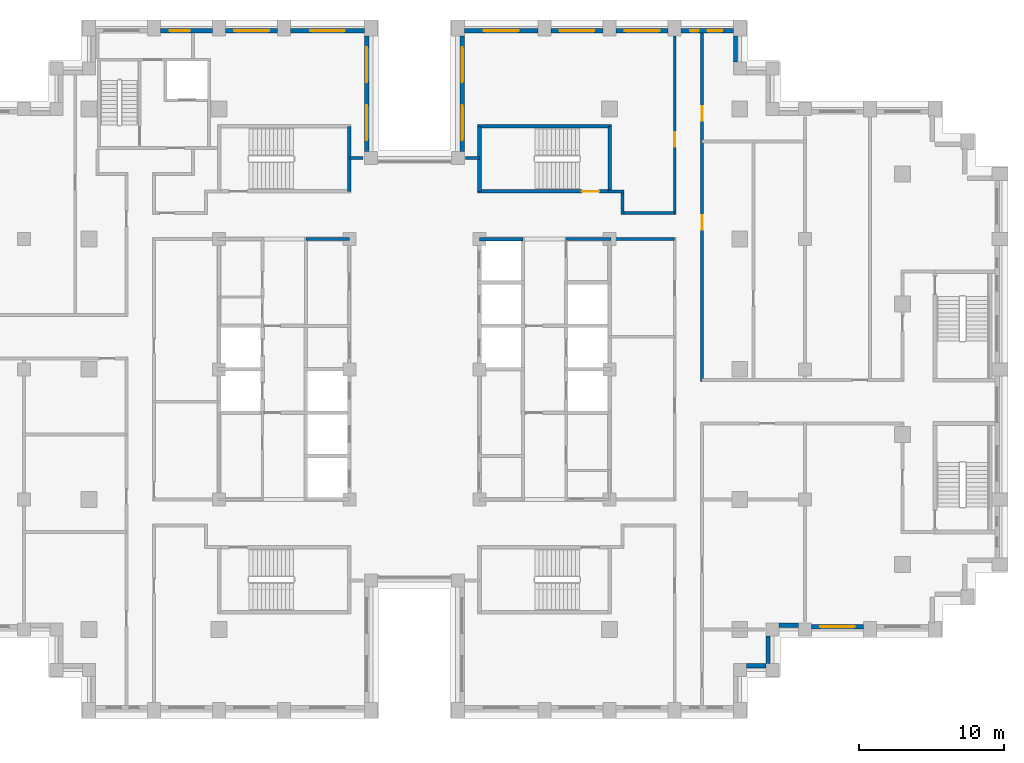
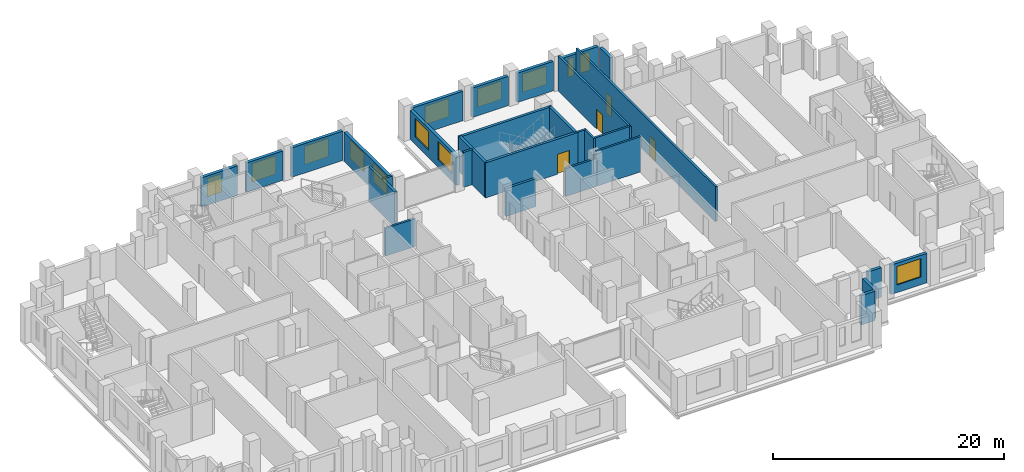
# One storey, part 11 of 16: 30 walls, 13 windows, 4 doors, 17 openings.
"""IFC4 building model written with IfcOpenShell, lengths in metres."""

from ifc_helpers import new_model, si_unit, direction, frame, frame_2d, origin, place, context, subcontext, project, spatial, rectangle, extrude, material, layer, layer_set, type_object, element, fill, save


model = new_model("IFC4")

# Units and contexts
model_context = context("Model", 3, precision=1e-05, world=origin(), true_north=direction((0.0, 1.0)))
body_context = subcontext(model_context, "Body", "Model", "MODEL_VIEW")
ifc_project = project(units=[si_unit("LENGTHUNIT", "METRE"), si_unit("AREAUNIT", "SQUARE_METRE"), si_unit("VOLUMEUNIT", "CUBIC_METRE"), si_unit("PLANEANGLEUNIT", "RADIAN"), si_unit("MASSUNIT", "GRAM", prefix="KILO")], contexts=[model_context])

# Site, building, storey
site_placement = place(None, origin())
site = spatial("IfcSite", under=ifc_project, at=site_placement, CompositionType="ELEMENT")
building_placement = place(site_placement, origin())
building = spatial("IfcBuilding", under=site, at=building_placement, Name="Corbelhall Arena Tower", CompositionType="ELEMENT")
storey_placement = place(building_placement, frame((0.0, 0.0, 150.0)))
storey = spatial("IfcBuildingStorey", under=building, at=storey_placement, Name="L29", CompositionType="ELEMENT", Elevation=150.0)

# Walls
ifc_material_1 = material(Name="Precast concrete C40/50 with granite facing", Category="masonry")
ifc_layer_1 = layer(ifc_material_1, 0.300048828125)
ifc_layer_set_1 = layer_set([ifc_layer_1], Name="EV-IW1 Infill panel 300")
wall_type_1 = type_object("IfcWallType", Name="EV-IW1 Infill panel 300", PredefinedType="SOLIDWALL", material=ifc_layer_set_1)
wall_1_placement = place(storey_placement, frame((22.949951171875, -20.5, 0.0), z_axis=(0.0, 0.0, 1.0), x_axis=(1.0, 0.0, 0.0)))
element("IfcWall", 1, at=wall_1_placement, inside=storey, type_object=wall_type_1, Name="Infill panel IW1", PredefinedType="SOLIDWALL", context=body_context, shape_type="SweptSolid", body=[
    extrude(rectangle(XDim=1.35009765625, YDim=0.300048828125, at=frame_2d((0.675048828125, 0.0))), origin(), (0.0, 0.0, 1.0), 3.10009765625),
])
wall_2_placement = place(storey_placement, frame((24.449951171875, -20.35009765625, 0.0), z_axis=(0.0, 0.0, 1.0), x_axis=(0.0, 1.0, 0.0)))
element("IfcWall", 2, at=wall_2_placement, inside=storey, type_object=wall_type_1, Name="Infill panel IW1", PredefinedType="SOLIDWALL", context=body_context, shape_type="SweptSolid", body=[
    extrude(rectangle(XDim=1.900146484375, YDim=0.300048828125, at=frame_2d((0.9501953125, 0.0))), origin(), (0.0, 0.0, 1.0), 3.10009765625),
])
wall_3_placement = place(storey_placement, frame((25.199951171875, -17.699951171875, 0.0), z_axis=(0.0, 0.0, 1.0), x_axis=(1.0, 0.0, 0.0)))
element("IfcWall", 3, at=wall_3_placement, inside=storey, type_object=wall_type_1, Name="Infill panel IW1", PredefinedType="SOLIDWALL", context=body_context, shape_type="SweptSolid", body=[
    extrude(rectangle(XDim=1.35009765625, YDim=0.300048828125, at=frame_2d((0.675048828125, 0.0))), origin(), (0.0, 0.0, 1.0), 3.10009765625),
])

# Wall, opening, window
wall_4_placement = place(storey_placement, frame((27.449951171875, -17.800048828125, 0.0), z_axis=(0.0, 0.0, 1.0), x_axis=(1.0, 0.0, 0.0)))
wall_4 = element("IfcWall", 4, at=wall_4_placement, inside=storey, type_object=wall_type_1, Name="Infill panel IW1", PredefinedType="SOLIDWALL", context=body_context, shape_type="SweptSolid", body=[
    extrude(rectangle(XDim=3.60009765625, YDim=0.300048828125, at=frame_2d((1.800048828125, 0.0))), origin(), (0.0, 0.0, 1.0), 3.10009765625),
])
opening_1_placement = place(wall_4_placement, frame((0.60009765625, 0.0, 0.800048828125)))
opening_1 = element("IfcOpeningElement", 5, at=opening_1_placement, cuts=wall_4, Name="Opening WN1", PredefinedType="OPENING", context=body_context, shape_type="SweptSolid", body=[
    extrude(rectangle(XDim=2.39990234375, YDim=1.949951171875, at=frame_2d((1.199951171875, 0.97509765625))), frame((0.0, 0.14990234375, 0.0), z_axis=(0.0, -1.0, 0.0), x_axis=(1.0, 0.0, 0.0)), (0.0, 0.0, 1.0), 0.300048828125),
])
ifc_material_2 = material(Name="Aluminium black anodised", Category="aluminium")
window_type_1 = type_object("IfcWindowType", Name="EV-WN1 Office window", PartitioningType="SINGLE_PANEL", PredefinedType="WINDOW", material=ifc_material_2)
window_1_placement = place(opening_1_placement, origin())
window_1 = element("IfcWindow", 6, at=window_1_placement, inside=storey, type_object=window_type_1, Name="Window WN1", OverallHeight=1.949951171875, OverallWidth=2.39990234375, PartitioningType="SINGLE_PANEL", PredefinedType="WINDOW", context=body_context, shape_type="SweptSolid", body=[
    extrude(rectangle(XDim=2.39990234375, YDim=1.949951171875, at=frame_2d((1.199951171875, 0.97509765625))), frame((0.0, 0.030029296875, 0.0), z_axis=(0.0, -1.0, 0.0), x_axis=(1.0, 0.0, 0.0)), (0.0, 0.0, 1.0), 0.06005859375),
])
fill(opening_1, window_1)

# Wall
wall_5_placement = place(storey_placement, frame((22.199951171875, 21.25, 0.0), z_axis=(0.0, 0.0, 1.0), x_axis=(0.0, 1.0, 0.0)))
element("IfcWall", 7, at=wall_5_placement, inside=storey, type_object=wall_type_1, Name="Infill panel IW1", PredefinedType="SOLIDWALL", context=body_context, shape_type="SweptSolid", body=[
    extrude(rectangle(XDim=1.800048828125, YDim=0.300048828125, at=frame_2d((0.89990234375, 0.0))), origin(), (0.0, 0.0, 1.0), 3.10009765625),
])

# Wall, openings, windows
wall_6_placement = place(storey_placement, frame((22.050048828125, 23.39990234375, 0.0), z_axis=(0.0, 0.0, 1.0), x_axis=(-1.0, 0.0, 0.0)))
wall_6 = element("IfcWall", 8, at=wall_6_placement, inside=storey, type_object=wall_type_1, Name="Infill panel IW1", PredefinedType="SOLIDWALL", context=body_context, shape_type="SweptSolid", body=[
    extrude(rectangle(XDim=3.60009765625, YDim=0.300048828125, at=frame_2d((1.800048828125, 0.0))), origin(), (0.0, 0.0, 1.0), 3.10009765625),
])
opening_2_placement = place(wall_6_placement, frame((0.77490234375, 0.0, 0.800048828125)))
opening_2 = element("IfcOpeningElement", 9, at=opening_2_placement, cuts=wall_6, Name="Opening WN6", PredefinedType="OPENING", context=body_context, shape_type="SweptSolid", body=[
    extrude(rectangle(XDim=1.0, YDim=1.949951171875, at=frame_2d((0.5, 0.97509765625))), frame((0.0, 0.14990234375, 0.0), z_axis=(0.0, -1.0, 0.0), x_axis=(1.0, 0.0, 0.0)), (0.0, 0.0, 1.0), 0.300048828125),
])
opening_3_placement = place(wall_6_placement, frame((2.375, 0.0, 0.800048828125)))
opening_3 = element("IfcOpeningElement", 10, at=opening_3_placement, cuts=wall_6, Name="Opening WN5", PredefinedType="OPENING", context=body_context, shape_type="SweptSolid", body=[
    extrude(rectangle(XDim=0.60009765625, YDim=1.949951171875, at=frame_2d((0.300048828125, 0.97509765625))), frame((0.0, 0.14990234375, 0.0), z_axis=(0.0, -1.0, 0.0), x_axis=(1.0, 0.0, 0.0)), (0.0, 0.0, 1.0), 0.300048828125),
])
window_type_2 = type_object("IfcWindowType", Name="EV-WN5 Office window 600", PartitioningType="SINGLE_PANEL", PredefinedType="WINDOW", material=ifc_material_2)
window_2_placement = place(opening_3_placement, origin())
window_2 = element("IfcWindow", 11, at=window_2_placement, inside=storey, type_object=window_type_2, Name="Window WN5", OverallHeight=1.949951171875, OverallWidth=0.60009765625, PartitioningType="SINGLE_PANEL", PredefinedType="WINDOW", context=body_context, shape_type="SweptSolid", body=[
    extrude(rectangle(XDim=0.60009765625, YDim=1.949951171875, at=frame_2d((0.300048828125, 0.97509765625))), frame((0.0, 0.030029296875, 0.0), z_axis=(0.0, -1.0, 0.0), x_axis=(1.0, 0.0, 0.0)), (0.0, 0.0, 1.0), 0.06005859375),
])
fill(opening_3, window_2)
window_type_3 = type_object("IfcWindowType", Name="EV-WN6 Office window 1000", PartitioningType="SINGLE_PANEL", PredefinedType="WINDOW", material=ifc_material_2)
window_3_placement = place(opening_2_placement, origin())
window_3 = element("IfcWindow", 12, at=window_3_placement, inside=storey, type_object=window_type_3, Name="Window WN6", OverallHeight=1.949951171875, OverallWidth=1.0, PartitioningType="SINGLE_PANEL", PredefinedType="WINDOW", context=body_context, shape_type="SweptSolid", body=[
    extrude(rectangle(XDim=1.0, YDim=1.949951171875, at=frame_2d((0.5, 0.97509765625))), frame((0.0, 0.030029296875, 0.0), z_axis=(0.0, -1.0, 0.0), x_axis=(1.0, 0.0, 0.0)), (0.0, 0.0, 1.0), 0.06005859375),
])
fill(opening_2, window_3)

# Wall, opening, window
wall_7_placement = place(storey_placement, frame((17.550048828125, 23.39990234375, 0.0), z_axis=(0.0, 0.0, 1.0), x_axis=(-1.0, 0.0, 0.0)))
wall_7 = element("IfcWall", 13, at=wall_7_placement, inside=storey, type_object=wall_type_1, Name="Infill panel IW1", PredefinedType="SOLIDWALL", context=body_context, shape_type="SweptSolid", body=[
    extrude(rectangle(XDim=3.60009765625, YDim=0.300048828125, at=frame_2d((1.800048828125, 0.0))), origin(), (0.0, 0.0, 1.0), 3.10009765625),
])
opening_4_placement = place(wall_7_placement, frame((0.60009765625, 0.0, 0.800048828125)))
opening_4 = element("IfcOpeningElement", 14, at=opening_4_placement, cuts=wall_7, Name="Opening WN1", PredefinedType="OPENING", context=body_context, shape_type="SweptSolid", body=[
    extrude(rectangle(XDim=2.39990234375, YDim=1.949951171875, at=frame_2d((1.199951171875, 0.97509765625))), frame((0.0, 0.14990234375, 0.0), z_axis=(0.0, -1.0, 0.0), x_axis=(1.0, 0.0, 0.0)), (0.0, 0.0, 1.0), 0.300048828125),
])
window_4_placement = place(opening_4_placement, origin())
window_4 = element("IfcWindow", 15, at=window_4_placement, inside=storey, type_object=window_type_1, Name="Window WN1", OverallHeight=1.949951171875, OverallWidth=2.39990234375, PartitioningType="SINGLE_PANEL", PredefinedType="WINDOW", context=body_context, shape_type="SweptSolid", body=[
    extrude(rectangle(XDim=2.39990234375, YDim=1.949951171875, at=frame_2d((1.199951171875, 0.97509765625))), frame((0.0, 0.030029296875, 0.0), z_axis=(0.0, -1.0, 0.0), x_axis=(1.0, 0.0, 0.0)), (0.0, 0.0, 1.0), 0.06005859375),
])
fill(opening_4, window_4)

wall_8_placement = place(storey_placement, frame((13.050048828125, 23.39990234375, 0.0), z_axis=(0.0, 0.0, 1.0), x_axis=(-1.0, 0.0, 0.0)))
wall_8 = element("IfcWall", 16, at=wall_8_placement, inside=storey, type_object=wall_type_1, Name="Infill panel IW1", PredefinedType="SOLIDWALL", context=body_context, shape_type="SweptSolid", body=[
    extrude(rectangle(XDim=3.60009765625, YDim=0.300048828125, at=frame_2d((1.800048828125, 0.0))), origin(), (0.0, 0.0, 1.0), 3.10009765625),
])
opening_5_placement = place(wall_8_placement, frame((0.60009765625, 0.0, 0.800048828125)))
opening_5 = element("IfcOpeningElement", 17, at=opening_5_placement, cuts=wall_8, Name="Opening WN1", PredefinedType="OPENING", context=body_context, shape_type="SweptSolid", body=[
    extrude(rectangle(XDim=2.39990234375, YDim=1.949951171875, at=frame_2d((1.199951171875, 0.97509765625))), frame((0.0, 0.14990234375, 0.0), z_axis=(0.0, -1.0, 0.0), x_axis=(1.0, 0.0, 0.0)), (0.0, 0.0, 1.0), 0.300048828125),
])
window_5_placement = place(opening_5_placement, origin())
window_5 = element("IfcWindow", 18, at=window_5_placement, inside=storey, type_object=window_type_1, Name="Window WN1", OverallHeight=1.949951171875, OverallWidth=2.39990234375, PartitioningType="SINGLE_PANEL", PredefinedType="WINDOW", context=body_context, shape_type="SweptSolid", body=[
    extrude(rectangle(XDim=2.39990234375, YDim=1.949951171875, at=frame_2d((1.199951171875, 0.97509765625))), frame((0.0, 0.030029296875, 0.0), z_axis=(0.0, -1.0, 0.0), x_axis=(1.0, 0.0, 0.0)), (0.0, 0.0, 1.0), 0.06005859375),
])
fill(opening_5, window_5)

wall_9_placement = place(storey_placement, frame((8.550048828125, 23.39990234375, 0.0), z_axis=(0.0, 0.0, 1.0), x_axis=(-1.0, 0.0, 0.0)))
wall_9 = element("IfcWall", 19, at=wall_9_placement, inside=storey, type_object=wall_type_1, Name="Infill panel IW1", PredefinedType="SOLIDWALL", context=body_context, shape_type="SweptSolid", body=[
    extrude(rectangle(XDim=5.10009765625, YDim=0.300048828125, at=frame_2d((2.550048828125, 0.0))), origin(), (0.0, 0.0, 1.0), 3.10009765625),
])
opening_6_placement = place(wall_9_placement, frame((1.35009765625, 0.0, 0.800048828125)))
opening_6 = element("IfcOpeningElement", 20, at=opening_6_placement, cuts=wall_9, Name="Opening WN1", PredefinedType="OPENING", context=body_context, shape_type="SweptSolid", body=[
    extrude(rectangle(XDim=2.39990234375, YDim=1.949951171875, at=frame_2d((1.199951171875, 0.97509765625))), frame((0.0, 0.14990234375, 0.0), z_axis=(0.0, -1.0, 0.0), x_axis=(1.0, 0.0, 0.0)), (0.0, 0.0, 1.0), 0.300048828125),
])
window_6_placement = place(opening_6_placement, origin())
window_6 = element("IfcWindow", 21, at=window_6_placement, inside=storey, type_object=window_type_1, Name="Window WN1", OverallHeight=1.949951171875, OverallWidth=2.39990234375, PartitioningType="SINGLE_PANEL", PredefinedType="WINDOW", context=body_context, shape_type="SweptSolid", body=[
    extrude(rectangle(XDim=2.39990234375, YDim=1.949951171875, at=frame_2d((1.199951171875, 0.97509765625))), frame((0.0, 0.030029296875, 0.0), z_axis=(0.0, -1.0, 0.0), x_axis=(1.0, 0.0, 0.0)), (0.0, 0.0, 1.0), 0.06005859375),
])
fill(opening_6, window_6)

# Wall, openings, windows
wall_10_placement = place(storey_placement, frame((3.300048828125, 23.050048828125, 0.0), z_axis=(0.0, 0.0, 1.0), x_axis=(0.0, -1.0, 0.0)))
wall_10 = element("IfcWall", 22, at=wall_10_placement, inside=storey, type_object=wall_type_1, Name="Infill panel IW1", PredefinedType="SOLIDWALL", context=body_context, shape_type="SweptSolid", body=[
    extrude(rectangle(XDim=8.0, YDim=0.300048828125, at=frame_2d((4.0, 0.0))), origin(), (0.0, 0.0, 1.0), 3.10009765625),
])
opening_7_placement = place(wall_10_placement, frame((0.800048828125, 0.0, 0.800048828125)))
opening_7 = element("IfcOpeningElement", 23, at=opening_7_placement, cuts=wall_10, Name="Opening WN1", PredefinedType="OPENING", context=body_context, shape_type="SweptSolid", body=[
    extrude(rectangle(XDim=2.39990234375, YDim=1.949951171875, at=frame_2d((1.199951171875, 0.97509765625))), frame((0.0, 0.14990234375, 0.0), z_axis=(0.0, -1.0, 0.0), x_axis=(1.0, 0.0, 0.0)), (0.0, 0.0, 1.0), 0.300048828125),
])
opening_8_placement = place(wall_10_placement, frame((4.800048828125, 0.0, 0.800048828125)))
opening_8 = element("IfcOpeningElement", 24, at=opening_8_placement, cuts=wall_10, Name="Opening WN1", PredefinedType="OPENING", context=body_context, shape_type="SweptSolid", body=[
    extrude(rectangle(XDim=2.39990234375, YDim=1.949951171875, at=frame_2d((1.199951171875, 0.97509765625))), frame((0.0, 0.14990234375, 0.0), z_axis=(0.0, -1.0, 0.0), x_axis=(1.0, 0.0, 0.0)), (0.0, 0.0, 1.0), 0.300048828125),
])
window_7_placement = place(opening_7_placement, origin())
window_7 = element("IfcWindow", 25, at=window_7_placement, inside=storey, type_object=window_type_1, Name="Window WN1", OverallHeight=1.949951171875, OverallWidth=2.39990234375, PartitioningType="SINGLE_PANEL", PredefinedType="WINDOW", context=body_context, shape_type="SweptSolid", body=[
    extrude(rectangle(XDim=2.39990234375, YDim=1.949951171875, at=frame_2d((1.199951171875, 0.97509765625))), frame((0.0, 0.030029296875, 0.0), z_axis=(0.0, -1.0, 0.0), x_axis=(1.0, 0.0, 0.0)), (0.0, 0.0, 1.0), 0.06005859375),
])
fill(opening_7, window_7)
window_8_placement = place(opening_8_placement, origin())
window_8 = element("IfcWindow", 26, at=window_8_placement, inside=storey, type_object=window_type_1, Name="Window WN1", OverallHeight=1.949951171875, OverallWidth=2.39990234375, PartitioningType="SINGLE_PANEL", PredefinedType="WINDOW", context=body_context, shape_type="SweptSolid", body=[
    extrude(rectangle(XDim=2.39990234375, YDim=1.949951171875, at=frame_2d((1.199951171875, 0.97509765625))), frame((0.0, 0.030029296875, 0.0), z_axis=(0.0, -1.0, 0.0), x_axis=(1.0, 0.0, 0.0)), (0.0, 0.0, 1.0), 0.06005859375),
])
fill(opening_8, window_8)

wall_11_placement = place(storey_placement, frame((-3.300048828125, 15.050048828125, 0.0), z_axis=(0.0, 0.0, 1.0), x_axis=(0.0, 1.0, 0.0)))
wall_11 = element("IfcWall", 27, at=wall_11_placement, inside=storey, type_object=wall_type_1, Name="Infill panel IW1", PredefinedType="SOLIDWALL", context=body_context, shape_type="SweptSolid", body=[
    extrude(rectangle(XDim=8.0, YDim=0.300048828125, at=frame_2d((4.0, 0.0))), origin(), (0.0, 0.0, 1.0), 3.10009765625),
])
opening_9_placement = place(wall_11_placement, frame((0.800048828125, 0.0, 0.800048828125)))
opening_9 = element("IfcOpeningElement", 28, at=opening_9_placement, cuts=wall_11, Name="Opening WN1", PredefinedType="OPENING", context=body_context, shape_type="SweptSolid", body=[
    extrude(rectangle(XDim=2.39990234375, YDim=1.949951171875, at=frame_2d((1.199951171875, 0.97509765625))), frame((0.0, 0.14990234375, 0.0), z_axis=(0.0, -1.0, 0.0), x_axis=(1.0, 0.0, 0.0)), (0.0, 0.0, 1.0), 0.300048828125),
])
opening_10_placement = place(wall_11_placement, frame((4.800048828125, 0.0, 0.800048828125)))
opening_10 = element("IfcOpeningElement", 29, at=opening_10_placement, cuts=wall_11, Name="Opening WN1", PredefinedType="OPENING", context=body_context, shape_type="SweptSolid", body=[
    extrude(rectangle(XDim=2.39990234375, YDim=1.949951171875, at=frame_2d((1.199951171875, 0.97509765625))), frame((0.0, 0.14990234375, 0.0), z_axis=(0.0, -1.0, 0.0), x_axis=(1.0, 0.0, 0.0)), (0.0, 0.0, 1.0), 0.300048828125),
])
window_9_placement = place(opening_9_placement, origin())
window_9 = element("IfcWindow", 30, at=window_9_placement, inside=storey, type_object=window_type_1, Name="Window WN1", OverallHeight=1.949951171875, OverallWidth=2.39990234375, PartitioningType="SINGLE_PANEL", PredefinedType="WINDOW", context=body_context, shape_type="SweptSolid", body=[
    extrude(rectangle(XDim=2.39990234375, YDim=1.949951171875, at=frame_2d((1.199951171875, 0.97509765625))), frame((0.0, 0.030029296875, 0.0), z_axis=(0.0, -1.0, 0.0), x_axis=(1.0, 0.0, 0.0)), (0.0, 0.0, 1.0), 0.06005859375),
])
fill(opening_9, window_9)
window_10_placement = place(opening_10_placement, origin())
window_10 = element("IfcWindow", 31, at=window_10_placement, inside=storey, type_object=window_type_1, Name="Window WN1", OverallHeight=1.949951171875, OverallWidth=2.39990234375, PartitioningType="SINGLE_PANEL", PredefinedType="WINDOW", context=body_context, shape_type="SweptSolid", body=[
    extrude(rectangle(XDim=2.39990234375, YDim=1.949951171875, at=frame_2d((1.199951171875, 0.97509765625))), frame((0.0, 0.030029296875, 0.0), z_axis=(0.0, -1.0, 0.0), x_axis=(1.0, 0.0, 0.0)), (0.0, 0.0, 1.0), 0.06005859375),
])
fill(opening_10, window_10)

# Wall, opening, window
wall_12_placement = place(storey_placement, frame((-3.449951171875, 23.39990234375, 0.0), z_axis=(0.0, 0.0, 1.0), x_axis=(-1.0, 0.0, 0.0)))
wall_12 = element("IfcWall", 32, at=wall_12_placement, inside=storey, type_object=wall_type_1, Name="Infill panel IW1", PredefinedType="SOLIDWALL", context=body_context, shape_type="SweptSolid", body=[
    extrude(rectangle(XDim=5.10009765625, YDim=0.300048828125, at=frame_2d((2.550048828125, 0.0))), origin(), (0.0, 0.0, 1.0), 3.10009765625),
])
opening_11_placement = place(wall_12_placement, frame((1.35009765625, 0.0, 0.800048828125)))
opening_11 = element("IfcOpeningElement", 33, at=opening_11_placement, cuts=wall_12, Name="Opening WN1", PredefinedType="OPENING", context=body_context, shape_type="SweptSolid", body=[
    extrude(rectangle(XDim=2.39990234375, YDim=1.949951171875, at=frame_2d((1.199951171875, 0.97509765625))), frame((0.0, 0.14990234375, 0.0), z_axis=(0.0, -1.0, 0.0), x_axis=(1.0, 0.0, 0.0)), (0.0, 0.0, 1.0), 0.300048828125),
])
window_11_placement = place(opening_11_placement, origin())
window_11 = element("IfcWindow", 34, at=window_11_placement, inside=storey, type_object=window_type_1, Name="Window WN1", OverallHeight=1.949951171875, OverallWidth=2.39990234375, PartitioningType="SINGLE_PANEL", PredefinedType="WINDOW", context=body_context, shape_type="SweptSolid", body=[
    extrude(rectangle(XDim=2.39990234375, YDim=1.949951171875, at=frame_2d((1.199951171875, 0.97509765625))), frame((0.0, 0.030029296875, 0.0), z_axis=(0.0, -1.0, 0.0), x_axis=(1.0, 0.0, 0.0)), (0.0, 0.0, 1.0), 0.06005859375),
])
fill(opening_11, window_11)

wall_13_placement = place(storey_placement, frame((-9.449951171875, 23.39990234375, 0.0), z_axis=(0.0, 0.0, 1.0), x_axis=(-1.0, 0.0, 0.0)))
wall_13 = element("IfcWall", 35, at=wall_13_placement, inside=storey, type_object=wall_type_1, Name="Infill panel IW1", PredefinedType="SOLIDWALL", context=body_context, shape_type="SweptSolid", body=[
    extrude(rectangle(XDim=3.60009765625, YDim=0.300048828125, at=frame_2d((1.800048828125, 0.0))), origin(), (0.0, 0.0, 1.0), 3.10009765625),
])
opening_12_placement = place(wall_13_placement, frame((0.60009765625, 0.0, 0.800048828125)))
opening_12 = element("IfcOpeningElement", 36, at=opening_12_placement, cuts=wall_13, Name="Opening WN1", PredefinedType="OPENING", context=body_context, shape_type="SweptSolid", body=[
    extrude(rectangle(XDim=2.39990234375, YDim=1.949951171875, at=frame_2d((1.199951171875, 0.97509765625))), frame((0.0, 0.14990234375, 0.0), z_axis=(0.0, -1.0, 0.0), x_axis=(1.0, 0.0, 0.0)), (0.0, 0.0, 1.0), 0.300048828125),
])
window_12_placement = place(opening_12_placement, origin())
window_12 = element("IfcWindow", 37, at=window_12_placement, inside=storey, type_object=window_type_1, Name="Window WN1", OverallHeight=1.949951171875, OverallWidth=2.39990234375, PartitioningType="SINGLE_PANEL", PredefinedType="WINDOW", context=body_context, shape_type="SweptSolid", body=[
    extrude(rectangle(XDim=2.39990234375, YDim=1.949951171875, at=frame_2d((1.199951171875, 0.97509765625))), frame((0.0, 0.030029296875, 0.0), z_axis=(0.0, -1.0, 0.0), x_axis=(1.0, 0.0, 0.0)), (0.0, 0.0, 1.0), 0.06005859375),
])
fill(opening_12, window_12)

wall_14_placement = place(storey_placement, frame((-13.949951171875, 23.39990234375, 0.0), z_axis=(0.0, 0.0, 1.0), x_axis=(-1.0, 0.0, 0.0)))
wall_14 = element("IfcWall", 38, at=wall_14_placement, inside=storey, type_object=wall_type_1, Name="Infill panel IW1", PredefinedType="SOLIDWALL", context=body_context, shape_type="SweptSolid", body=[
    extrude(rectangle(XDim=3.60009765625, YDim=0.300048828125, at=frame_2d((1.800048828125, 0.0))), origin(), (0.0, 0.0, 1.0), 3.10009765625),
])
opening_13_placement = place(wall_14_placement, frame((1.574951171875, 0.0, 0.800048828125)))
opening_13 = element("IfcOpeningElement", 39, at=opening_13_placement, cuts=wall_14, Name="Opening WN7", PredefinedType="OPENING", context=body_context, shape_type="SweptSolid", body=[
    extrude(rectangle(XDim=1.39990234375, YDim=1.949951171875, at=frame_2d((0.699951171875, 0.97509765625))), frame((0.0, 0.14990234375, 0.0), z_axis=(0.0, -1.0, 0.0), x_axis=(1.0, 0.0, 0.0)), (0.0, 0.0, 1.0), 0.300048828125),
])
window_type_4 = type_object("IfcWindowType", Name="EV-WN7 Office window 1400", PartitioningType="SINGLE_PANEL", PredefinedType="WINDOW", material=ifc_material_2)
window_13_placement = place(opening_13_placement, origin())
window_13 = element("IfcWindow", 40, at=window_13_placement, inside=storey, type_object=window_type_4, Name="Window WN7", OverallHeight=1.949951171875, OverallWidth=1.39990234375, PartitioningType="SINGLE_PANEL", PredefinedType="WINDOW", context=body_context, shape_type="SweptSolid", body=[
    extrude(rectangle(XDim=1.39990234375, YDim=1.949951171875, at=frame_2d((0.699951171875, 0.97509765625))), frame((0.0, 0.030029296875, 0.0), z_axis=(0.0, -1.0, 0.0), x_axis=(1.0, 0.0, 0.0)), (0.0, 0.0, 1.0), 0.06005859375),
])
fill(opening_13, window_13)

# Walls
ifc_material_3 = material(Name="Gypsum board on steel stud, acoustic", Category="steel")
ifc_layer_2 = layer(ifc_material_3, 0.199951171875)
ifc_layer_set_2 = layer_set([ifc_layer_2], Name="IN-W-DM200")
wall_type_2 = type_object("IfcWallType", Name="IN-W-DM200", PredefinedType="PARTITIONING", material=ifc_layer_set_2)
for number, where, z_axis, x_axis, name in (
    (41, (-4.5, 14.60009765625, 0.0), (0.0, 0.0, 1.0), (1.0, 0.0, 0.0), "Partition 033"),
    (42, (3.550048828125, 14.60009765625, 0.0), (0.0, 0.0, 1.0), (1.0, 0.0, 0.0), "Partition 035"),
):
    element("IfcWall", number, at=place(storey_placement, frame(where, z_axis=z_axis, x_axis=x_axis)), inside=storey, type_object=wall_type_2, Name=name, PredefinedType="PARTITIONING", context=body_context, shape_type="SweptSolid", body=[
        extrude(rectangle(XDim=0.949951171875, YDim=0.199951171875, at=frame_2d((0.47509765625, 0.0))), origin(), (0.0, 0.0, 1.0), 3.699951171875),
    ])
wall_15_placement = place(storey_placement, frame((13.375, 12.300048828125, 0.0), z_axis=(0.0, 0.0, 1.0), x_axis=(1.0, 0.0, 0.0)))
element("IfcWall", 43, at=wall_15_placement, inside=storey, type_object=wall_type_2, Name="Partition 037", PredefinedType="PARTITIONING", context=body_context, shape_type="SweptSolid", body=[
    extrude(rectangle(XDim=1.125, YDim=0.199951171875, at=frame_2d((0.5625, 0.0))), origin(), (0.0, 0.0, 1.0), 3.699951171875),
])
wall_16_placement = place(storey_placement, frame((18.0, 9.0, 0.0), z_axis=(0.0, 0.0, 1.0), x_axis=(-1.0, 0.0, 0.0)))
element("IfcWall", 44, at=wall_16_placement, inside=storey, type_object=wall_type_2, Name="Partition 042", PredefinedType="PARTITIONING", context=body_context, shape_type="SweptSolid", body=[
    extrude(rectangle(XDim=4.5, YDim=0.199951171875, at=frame_2d((2.25, 0.0))), origin(), (0.0, 0.0, 1.0), 3.699951171875),
])
wall_17_placement = place(storey_placement, frame((14.39990234375, 10.800048828125, 0.0), z_axis=(0.0, 0.0, 1.0), x_axis=(1.0, 0.0, 0.0)))
element("IfcWall", 45, at=wall_17_placement, inside=storey, type_object=wall_type_2, Name="Partition 043", PredefinedType="PARTITIONING", context=body_context, shape_type="SweptSolid", body=[
    extrude(rectangle(XDim=3.60009765625, YDim=0.199951171875, at=frame_2d((1.800048828125, 0.0))), origin(), (0.0, 0.0, 1.0), 3.699951171875),
])
wall_18_placement = place(storey_placement, frame((14.39990234375, 12.300048828125, 0.0), z_axis=(0.0, 0.0, 1.0), x_axis=(0.0, -1.0, 0.0)))
element("IfcWall", 46, at=wall_18_placement, inside=storey, type_object=wall_type_2, Name="Partition 044", PredefinedType="PARTITIONING", context=body_context, shape_type="SweptSolid", body=[
    extrude(rectangle(XDim=1.60009765625, YDim=0.199951171875, at=frame_2d((0.800048828125, 0.0))), origin(), (0.0, 0.0, 1.0), 3.699951171875),
])

# Wall, opening, door
wall_19_placement = place(storey_placement, frame((18.0, 10.699951171875, 0.0), z_axis=(0.0, 0.0, 1.0), x_axis=(0.0, 1.0, 0.0)))
wall_19 = element("IfcWall", 47, at=wall_19_placement, inside=storey, type_object=wall_type_2, Name="Partition 048", PredefinedType="PARTITIONING", context=body_context, shape_type="SweptSolid", body=[
    extrude(rectangle(XDim=12.35009765625, YDim=0.199951171875, at=frame_2d((6.175048828125, 0.0))), origin(), (0.0, 0.0, 1.0), 3.699951171875),
])
opening_14_placement = place(wall_19_placement, frame((4.699951171875, 0.0, 0.0)))
opening_14 = element("IfcOpeningElement", 48, at=opening_14_placement, cuts=wall_19, Name="Opening 08028", PredefinedType="OPENING", context=body_context, shape_type="SweptSolid", body=[
    extrude(rectangle(XDim=1.0, YDim=2.10009765625, at=frame_2d((0.5, 1.050048828125))), frame((0.0, 0.10009765625, 0.0), z_axis=(0.0, -1.0, 0.0), x_axis=(1.0, 0.0, 0.0)), (0.0, 0.0, 1.0), 0.199951171875),
])
ifc_material_4 = material(Name="Steel door set", Category="steel")
door_type_1 = type_object("IfcDoorType", Name="IN-D-SW100", OperationType="NOTDEFINED", PredefinedType="DOOR", material=ifc_material_4)
door_1_placement = place(opening_14_placement, origin())
door_1 = element("IfcDoor", 49, at=door_1_placement, inside=storey, type_object=door_type_1, Name="Door 028", OperationType="SINGLE_SWING_LEFT", OverallHeight=2.10009765625, OverallWidth=1.0, PredefinedType="DOOR", context=body_context, shape_type="SweptSolid", body=[
    extrude(rectangle(XDim=1.0, YDim=2.10009765625, at=frame_2d((0.5, 1.050048828125))), frame((0.0, 0.02490234375, 0.0), z_axis=(0.0, -1.0, 0.0), x_axis=(1.0, 0.0, 0.0)), (0.0, 0.0, 1.0), 0.050048828125),
])
fill(opening_14, door_1)

# Wall, openings, doors
wall_20_placement = place(storey_placement, frame((19.89990234375, 23.25, 0.0), z_axis=(0.0, 0.0, 1.0), x_axis=(0.0, -1.0, 0.0)))
wall_20 = element("IfcWall", 50, at=wall_20_placement, inside=storey, type_object=wall_type_2, Name="Partition 054", PredefinedType="PARTITIONING", context=body_context, shape_type="SweptSolid", body=[
    extrude(rectangle(XDim=24.10009765625, YDim=0.199951171875, at=frame_2d((12.050048828125, 0.0))), origin(), (0.0, 0.0, 1.0), 3.699951171875),
])
opening_15_placement = place(wall_20_placement, frame((12.60009765625, 0.0, 0.0)))
opening_15 = element("IfcOpeningElement", 51, at=opening_15_placement, cuts=wall_20, Name="Opening 08036", PredefinedType="OPENING", context=body_context, shape_type="SweptSolid", body=[
    extrude(rectangle(XDim=1.0, YDim=2.10009765625, at=frame_2d((0.5, 1.050048828125))), frame((0.0, 0.10009765625, 0.0), z_axis=(0.0, -1.0, 0.0), x_axis=(1.0, 0.0, 0.0)), (0.0, 0.0, 1.0), 0.199951171875),
])
opening_16_placement = place(wall_20_placement, frame((5.050048828125, 0.0, 0.0)))
opening_16 = element("IfcOpeningElement", 52, at=opening_16_placement, cuts=wall_20, Name="Opening 08038", PredefinedType="OPENING", context=body_context, shape_type="SweptSolid", body=[
    extrude(rectangle(XDim=1.0, YDim=2.10009765625, at=frame_2d((0.5, 1.050048828125))), frame((0.0, 0.10009765625, 0.0), z_axis=(0.0, -1.0, 0.0), x_axis=(1.0, 0.0, 0.0)), (0.0, 0.0, 1.0), 0.199951171875),
])
door_2_placement = place(opening_15_placement, origin())
door_2 = element("IfcDoor", 53, at=door_2_placement, inside=storey, type_object=door_type_1, Name="Door 036", OperationType="SINGLE_SWING_LEFT", OverallHeight=2.10009765625, OverallWidth=1.0, PredefinedType="DOOR", context=body_context, shape_type="SweptSolid", body=[
    extrude(rectangle(XDim=1.0, YDim=2.10009765625, at=frame_2d((0.5, 1.050048828125))), frame((0.0, 0.02490234375, 0.0), z_axis=(0.0, -1.0, 0.0), x_axis=(1.0, 0.0, 0.0)), (0.0, 0.0, 1.0), 0.050048828125),
])
fill(opening_15, door_2)
door_3_placement = place(opening_16_placement, origin())
door_3 = element("IfcDoor", 54, at=door_3_placement, inside=storey, type_object=door_type_1, Name="Door 038", OperationType="SINGLE_SWING_LEFT", OverallHeight=2.10009765625, OverallWidth=1.0, PredefinedType="DOOR", context=body_context, shape_type="SweptSolid", body=[
    extrude(rectangle(XDim=1.0, YDim=2.10009765625, at=frame_2d((0.5, 1.050048828125))), frame((0.0, 0.02490234375, 0.0), z_axis=(0.0, -1.0, 0.0), x_axis=(1.0, 0.0, 0.0)), (0.0, 0.0, 1.0), 0.050048828125),
])
fill(opening_16, door_3)

# Walls
ifc_material_5 = material(Name="Concrete block wall", Category="concrete")
ifc_layer_3 = layer(ifc_material_5, 0.199951171875)
ifc_layer_set_3 = layer_set([ifc_layer_3], Name="IN-W-RS200 under beam 762 mm")
wall_type_3 = type_object("IfcWallType", Name="IN-W-RS200 under beam 762 mm", PredefinedType="SOLIDWALL", material=ifc_layer_set_3)
wall_21_placement = place(storey_placement, frame((-7.5, 9.0, 0.0), z_axis=(0.0, 0.0, 1.0), x_axis=(1.0, 0.0, 0.0)))
element("IfcWall", 55, at=wall_21_placement, inside=storey, type_object=wall_type_3, Name="Partition 069", PredefinedType="SOLIDWALL", context=body_context, shape_type="SweptSolid", body=[
    extrude(rectangle(XDim=3.0, YDim=0.199951171875, at=frame_2d((1.5, 0.0))), origin(), (0.0, 0.0, 1.0), 2.93798828125),
])
wall_22_placement = place(storey_placement, frame((10.5, 9.0, 0.0), z_axis=(0.0, 0.0, 1.0), x_axis=(1.0, 0.0, 0.0)))
element("IfcWall", 56, at=wall_22_placement, inside=storey, type_object=wall_type_3, Name="Partition 076", PredefinedType="SOLIDWALL", context=body_context, shape_type="SweptSolid", body=[
    extrude(rectangle(XDim=3.10009765625, YDim=0.199951171875, at=frame_2d((1.550048828125, 0.0))), origin(), (0.0, 0.0, 1.0), 2.93798828125),
])
ifc_material_6 = material(Name="Concrete C40/50", Category="concrete")
ifc_layer_4 = layer(ifc_material_6, 0.25)
ifc_layer_set_4 = layer_set([ifc_layer_4], Name="IN-W-SH250 under beam 762 mm")
wall_type_4 = type_object("IfcWallType", Name="IN-W-SH250 under beam 762 mm", PredefinedType="SOLIDWALL", material=ifc_layer_set_4)
wall_23_placement = place(storey_placement, frame((4.5, 9.0, 0.0), z_axis=(0.0, 0.0, 1.0), x_axis=(1.0, 0.0, 0.0)))
element("IfcWall", 57, at=wall_23_placement, inside=storey, type_object=wall_type_4, Name="Shaft wall 094", PredefinedType="SOLIDWALL", context=body_context, shape_type="SweptSolid", body=[
    extrude(rectangle(XDim=3.0, YDim=0.25, at=frame_2d((1.5, 0.0))), origin(), (0.0, 0.0, 1.0), 2.93798828125),
])
ifc_layer_5 = layer(ifc_material_6, 0.25)
ifc_layer_set_5 = layer_set([ifc_layer_5], Name="IN-W-ST250")
wall_type_5 = type_object("IfcWallType", Name="IN-W-ST250", PredefinedType="SOLIDWALL", material=ifc_layer_set_5)
wall_24_placement = place(storey_placement, frame((-4.5, 16.800048828125, 0.0), z_axis=(0.0, 0.0, 1.0), x_axis=(0.0, -1.0, 0.0)))
element("IfcWall", 58, at=wall_24_placement, inside=storey, type_object=wall_type_5, Name="Shaft wall 113", PredefinedType="SOLIDWALL", context=body_context, shape_type="SweptSolid", body=[
    extrude(rectangle(XDim=4.5, YDim=0.25, at=frame_2d((2.25, 0.0))), origin(), (0.0, 0.0, 1.0), 3.699951171875),
])

# Wall, opening, door
wall_25_placement = place(storey_placement, frame((4.375, 12.300048828125, 0.0), z_axis=(0.0, 0.0, 1.0), x_axis=(1.0, 0.0, 0.0)))
wall_25 = element("IfcWall", 59, at=wall_25_placement, inside=storey, type_object=wall_type_5, Name="Shaft wall 115", PredefinedType="SOLIDWALL", context=body_context, shape_type="SweptSolid", body=[
    extrude(rectangle(XDim=9.25, YDim=0.25, at=frame_2d((4.625, 0.0))), origin(), (0.0, 0.0, 1.0), 3.699951171875),
])
opening_17_placement = place(wall_25_placement, frame((7.199951171875, 0.0, 0.0)))
opening_17 = element("IfcOpeningElement", 60, at=opening_17_placement, cuts=wall_25, Name="Opening 08017", PredefinedType="OPENING", context=body_context, shape_type="SweptSolid", body=[
    extrude(rectangle(XDim=1.199951171875, YDim=2.10009765625, at=frame_2d((0.60009765625, 1.050048828125))), frame((0.0, 0.125, 0.0), z_axis=(0.0, -1.0, 0.0), x_axis=(1.0, 0.0, 0.0)), (0.0, 0.0, 1.0), 0.25),
])
door_type_2 = type_object("IfcDoorType", Name="IN-D-ST120", OperationType="NOTDEFINED", PredefinedType="DOOR", material=ifc_material_4)
door_4_placement = place(opening_17_placement, origin())
door_4 = element("IfcDoor", 61, at=door_4_placement, inside=storey, type_object=door_type_2, Name="Door 017", OperationType="SINGLE_SWING_RIGHT", OverallHeight=2.10009765625, OverallWidth=1.199951171875, PredefinedType="DOOR", context=body_context, shape_type="SweptSolid", body=[
    extrude(rectangle(XDim=1.199951171875, YDim=2.10009765625, at=frame_2d((0.60009765625, 1.050048828125))), frame((0.0, 0.02490234375, 0.0), z_axis=(0.0, -1.0, 0.0), x_axis=(1.0, 0.0, 0.0)), (0.0, 0.0, 1.0), 0.050048828125),
])
fill(opening_17, door_4)

# Walls
wall_26_placement = place(storey_placement, frame((4.375, 16.800048828125, 0.0), z_axis=(0.0, 0.0, 1.0), x_axis=(1.0, 0.0, 0.0)))
element("IfcWall", 62, at=wall_26_placement, inside=storey, type_object=wall_type_5, Name="Shaft wall 116", PredefinedType="SOLIDWALL", context=body_context, shape_type="SweptSolid", body=[
    extrude(rectangle(XDim=9.25, YDim=0.25, at=frame_2d((4.625, 0.0))), origin(), (0.0, 0.0, 1.0), 3.699951171875),
])
for number, where, z_axis, x_axis, name in (
    (63, (4.5, 12.300048828125, 0.0), (0.0, 0.0, 1.0), (0.0, 1.0, 0.0), "Shaft wall 118"),
    (64, (13.5, 16.800048828125, 0.0), (0.0, 0.0, 1.0), (0.0, -1.0, 0.0), "Shaft wall 121"),
):
    element("IfcWall", number, at=place(storey_placement, frame(where, z_axis=z_axis, x_axis=x_axis)), inside=storey, type_object=wall_type_5, Name=name, PredefinedType="SOLIDWALL", context=body_context, shape_type="SweptSolid", body=[
        extrude(rectangle(XDim=4.5, YDim=0.25, at=frame_2d((2.25, 0.0))), origin(), (0.0, 0.0, 1.0), 3.699951171875),
    ])

save(model, "model.ifc")
